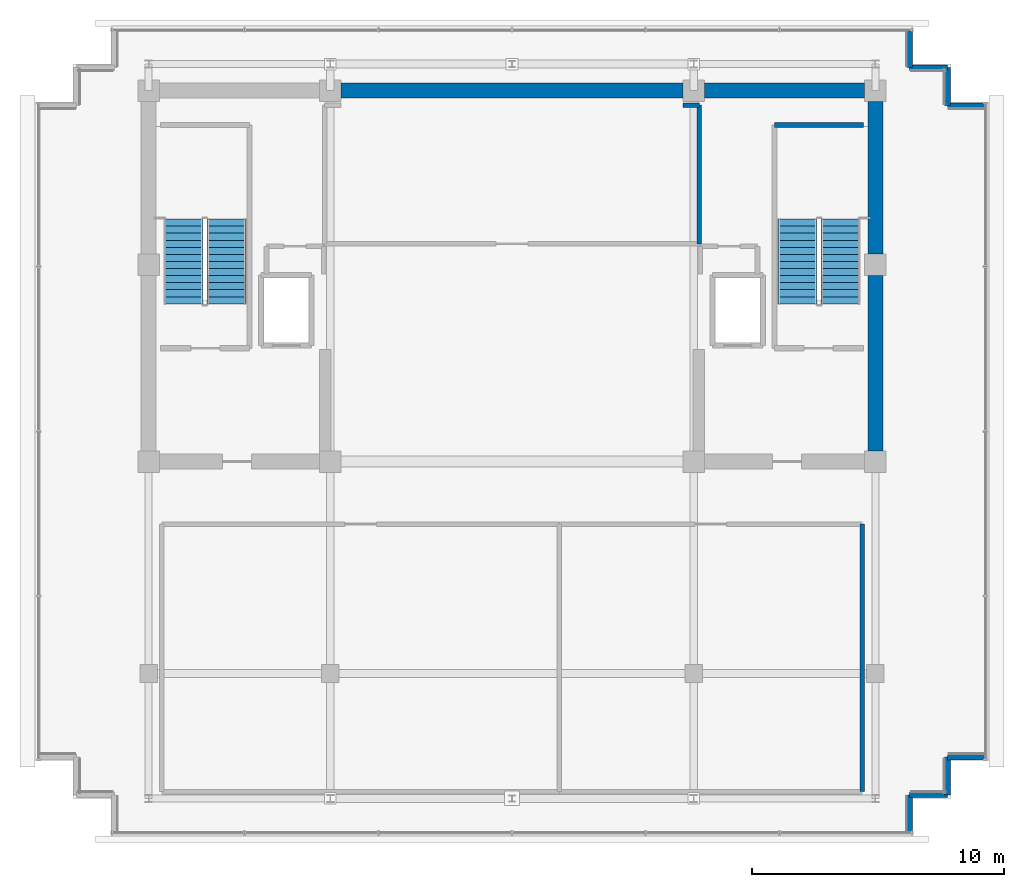
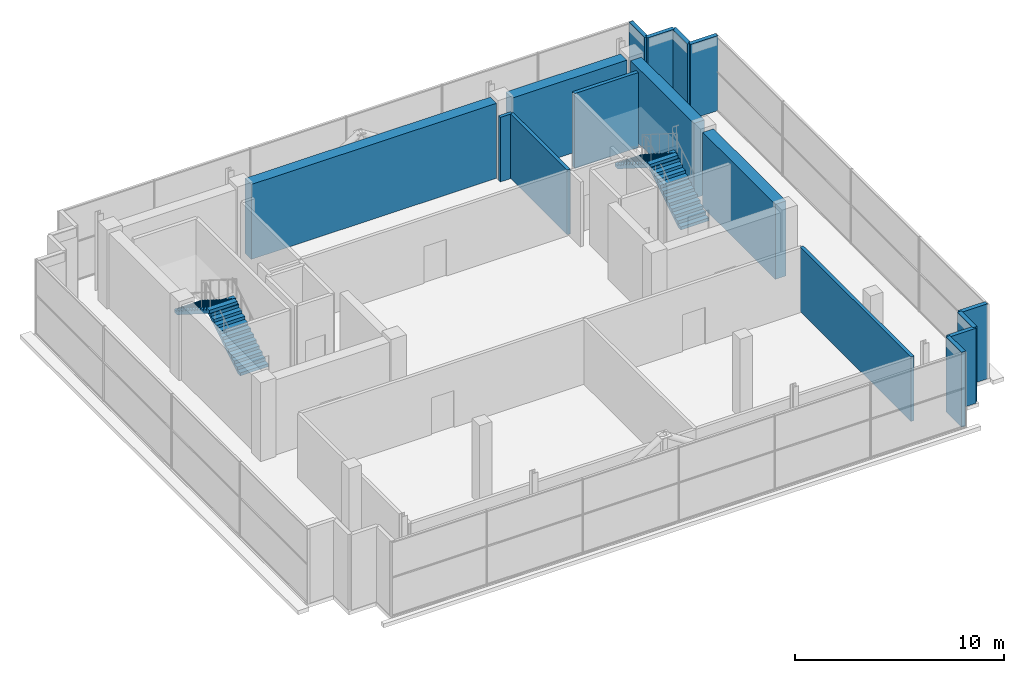
# One storey, part 24 of 26: 16 walls, 4 stair flights, 2 elements without a shape of their own.
"""IFC4 building model written with IfcOpenShell, lengths in metres."""

from ifc_helpers import new_model, si_unit, direction, frame, frame_2d, origin, place, context, subcontext, project, spatial, polyline, rectangle, outline, extrude, material, layer, layer_set, type_object, element, aggregate, save


model = new_model("IFC4")

# Units and contexts
model_context = context("Model", 3, precision=1e-05, world=origin(), true_north=direction((0.0, 1.0)))
body_context = subcontext(model_context, "Body", "Model", "MODEL_VIEW")
ifc_project = project(units=[si_unit("LENGTHUNIT", "METRE"), si_unit("AREAUNIT", "SQUARE_METRE"), si_unit("VOLUMEUNIT", "CUBIC_METRE"), si_unit("PLANEANGLEUNIT", "RADIAN"), si_unit("MASSUNIT", "GRAM", prefix="KILO")], contexts=[model_context])

# Site, building, storey
site_placement = place(None, origin())
site = spatial("IfcSite", under=ifc_project, at=site_placement, CompositionType="ELEMENT")
building_placement = place(site_placement, origin())
building = spatial("IfcBuilding", under=site, at=building_placement, Name="Zarnakvel Exchange Tower", CompositionType="ELEMENT")
storey_placement = place(building_placement, frame((0.0, 0.0, 285.39990234375)))
storey = spatial("IfcBuildingStorey", under=building, at=storey_placement, Name="Crown L80", CompositionType="ELEMENT", Elevation=285.39990234375)

# Walls
ifc_material_1 = material(Name="Concrete C50/60", Category="concrete")
ifc_layer_1 = layer(ifc_material_1, 0.60009765625)
ifc_layer_set_1 = layer_set([ifc_layer_1], Name="Concrete C50/60")
wall_type_1 = type_object("IfcWallType", Name="CW-C5", PredefinedType="SHEAR", material=ifc_layer_set_1)
wall_1_placement = place(storey_placement, frame((-6.77490234375, 13.5, 0.0), z_axis=(0.0, 0.0, 1.0), x_axis=(1.0, 0.0, 0.0)))
element("IfcWall", 1, at=wall_1_placement, inside=storey, type_object=wall_type_1, Name="Crown L80 Rear Core Shear Wall N2 (CW-C5)", PredefinedType="SHEAR", context=body_context, shape_type="SweptSolid", body=[
    extrude(rectangle(XDim=13.5498046875, YDim=0.60009765625, at=frame_2d((6.77490234375, 0.0))), origin(), (0.0, 0.0, 1.0), 4.380126953125),
])
wall_2_placement = place(storey_placement, frame((7.625, 13.5, 0.0), z_axis=(0.0, 0.0, 1.0), x_axis=(1.0, 0.0, 0.0)))
element("IfcWall", 2, at=wall_2_placement, inside=storey, type_object=wall_type_1, Name="Crown L80 Rear Core Shear Wall N3 (CW-C5)", PredefinedType="SHEAR", context=body_context, shape_type="SweptSolid", body=[
    extrude(rectangle(XDim=6.35009765625, YDim=0.60009765625, at=frame_2d((3.175048828125, 0.0))), origin(), (0.0, 0.0, 1.0), 4.380126953125),
])
wall_3_placement = place(storey_placement, frame((14.39990234375, -0.77490234375, 0.0), z_axis=(0.0, 0.0, 1.0), x_axis=(0.0, 1.0, 0.0)))
element("IfcWall", 3, at=wall_3_placement, inside=storey, type_object=wall_type_1, Name="Crown L80 Rear Core Shear Wall E1 (CW-C5)", PredefinedType="SHEAR", context=body_context, shape_type="SweptSolid", body=[
    extrude(rectangle(XDim=6.949951171875, YDim=0.60009765625, at=frame_2d((3.47509765625, 0.0))), origin(), (0.0, 0.0, 1.0), 4.380126953125),
])
wall_4_placement = place(storey_placement, frame((14.39990234375, 7.02490234375, 0.0), z_axis=(0.0, 0.0, 1.0), x_axis=(0.0, 1.0, 0.0)))
element("IfcWall", 4, at=wall_4_placement, inside=storey, type_object=wall_type_1, Name="Crown L80 Rear Core Shear Wall E2 (CW-C5)", PredefinedType="SHEAR", context=body_context, shape_type="SweptSolid", body=[
    extrude(rectangle(XDim=6.050048828125, YDim=0.60009765625, at=frame_2d((3.02490234375, 0.0))), origin(), (0.0, 0.0, 1.0), 4.380126953125),
])
ifc_material_2 = material(Name="Precast concrete C40/50", Category="concrete")
ifc_layer_2 = layer(ifc_material_2, 0.219970703125)
ifc_layer_set_2 = layer_set([ifc_layer_2], Name="Precast concrete C40/50")
wall_type_2 = type_object("IfcWallType", Name="EW-03", PredefinedType="SOLIDWALL", material=ifc_layer_set_2)
for number, where, z_axis, x_axis, name in (
    (5, (15.760009765625, 14.409912109375, 0.0), (0.0, 0.0, 1.0), (0.0, 1.0, 0.0), "Crown L80 Exterior Precast Spandrel Wall EW-Crown L80-C07 (EW-03)"),
    (6, (17.260009765625, 14.409912109375, 0.0), (0.0, 0.0, 1.0), (-1.0, 0.0, 0.0), "Crown L80 Exterior Precast Spandrel Wall EW-Crown L80-C08 (EW-03)"),
    (7, (17.260009765625, 12.909912109375, 0.0), (0.0, 0.0, 1.0), (0.0, 1.0, 0.0), "Crown L80 Exterior Precast Spandrel Wall EW-Crown L80-C09 (EW-03)"),
    (8, (18.760009765625, 12.909912109375, 0.0), (0.0, 0.0, 1.0), (-1.0, 0.0, 0.0), "Crown L80 Exterior Precast Spandrel Wall EW-Crown L80-C10 (EW-03)"),
    (9, (17.260009765625, -12.909912109375, 0.0), (0.0, 0.0, 1.0), (1.0, 0.0, 0.0), "Crown L80 Exterior Precast Spandrel Wall EW-Crown L80-C12 (EW-03)"),
    (10, (17.260009765625, -14.409912109375, 0.0), (0.0, 0.0, 1.0), (0.0, 1.0, 0.0), "Crown L80 Exterior Precast Spandrel Wall EW-Crown L80-C13 (EW-03)"),
    (11, (15.760009765625, -14.409912109375, 0.0), (0.0, 0.0, 1.0), (1.0, 0.0, 0.0), "Crown L80 Exterior Precast Spandrel Wall EW-Crown L80-C14 (EW-03)"),
    (12, (15.760009765625, -15.909912109375, 0.0), (0.0, 0.0, 1.0), (0.0, 1.0, 0.0), "Crown L80 Exterior Precast Spandrel Wall EW-Crown L80-C15 (EW-03)"),
):
    element("IfcWall", number, at=place(storey_placement, frame(where, z_axis=z_axis, x_axis=x_axis)), inside=storey, type_object=wall_type_2, Name=name, PredefinedType="SOLIDWALL", context=body_context, shape_type="SweptSolid", body=[
        extrude(rectangle(XDim=1.5, YDim=0.219970703125, at=frame_2d((0.75, 0.0))), origin(), (0.0, 0.0, 1.0), 4.380126953125),
    ])
ifc_material_3 = material(Name="Fire-Rated Gypsum Stud Partition", Category="gypsum")
ifc_layer_3 = layer(ifc_material_3, 0.179931640625)
ifc_layer_set_3 = layer_set([ifc_layer_3], Name="Fire-Rated Gypsum Stud Partition")
wall_type_3 = type_object("IfcWallType", Name="PT-02", PredefinedType="PARTITIONING", material=ifc_layer_set_3)
wall_5_placement = place(storey_placement, frame((6.77490234375, 12.929931640625, 0.0), z_axis=(0.0, 0.0, 1.0), x_axis=(1.0, 0.0, 0.0)))
element("IfcWall", 13, at=wall_5_placement, inside=storey, type_object=wall_type_3, Name="Crown L80 Partition Wall PWALL-Crown L80-009 (PT-02)", PredefinedType="PARTITIONING", context=body_context, shape_type="SweptSolid", body=[
    extrude(rectangle(XDim=0.655029296875, YDim=0.179931640625, at=frame_2d((0.32763671875, 0.0))), origin(), (0.0, 0.0, 1.0), 3.77001953125),
])
wall_6_placement = place(storey_placement, frame((7.429931640625, 12.929931640625, 0.0), z_axis=(0.0, 0.0, 1.0), x_axis=(0.0, -1.0, 0.0)))
element("IfcWall", 14, at=wall_6_placement, inside=storey, type_object=wall_type_3, Name="Crown L80 Partition Wall PWALL-Crown L80-011 (PT-02)", PredefinedType="PARTITIONING", context=body_context, shape_type="SweptSolid", body=[
    extrude(rectangle(XDim=5.5, YDim=0.179931640625, at=frame_2d((2.75, 0.0))), origin(), (0.0, 0.0, 1.0), 3.77001953125),
])
wall_7_placement = place(storey_placement, frame((13.8798828125, -3.679931640625, 0.0), z_axis=(0.0, 0.0, 1.0), x_axis=(0.0, -1.0, 0.0)))
element("IfcWall", 15, at=wall_7_placement, inside=storey, type_object=wall_type_3, Name="Crown L80 Partition Wall PWALL-Crown L80-024 (PT-02)", PredefinedType="PARTITIONING", context=body_context, shape_type="SweptSolid", body=[
    extrude(rectangle(XDim=10.60009765625, YDim=0.179931640625, at=frame_2d((5.300048828125, 0.0))), origin(), (0.0, 0.0, 1.0), 3.77001953125),
])
ifc_material_4 = material(Name="Concrete C40/50", Category="concrete")
ifc_layer_4 = layer(ifc_material_4, 0.199951171875)
ifc_layer_set_4 = layer_set([ifc_layer_4], Name="Concrete C40/50")
wall_type_4 = type_object("IfcWallType", Name="SW-02", PredefinedType="SOLIDWALL", material=ifc_layer_set_4)
wall_8_placement = place(storey_placement, frame((10.409912109375, 12.1298828125, 0.0), z_axis=(0.0, 0.0, 1.0), x_axis=(1.0, 0.0, 0.0)))
element("IfcWall", 16, at=wall_8_placement, inside=storey, type_object=wall_type_4, Name="Crown L80 Stairwell Core Wall PWALL-Crown L80-005 (SW-02)", PredefinedType="SOLIDWALL", context=body_context, shape_type="SweptSolid", body=[
    extrude(rectangle(XDim=3.52001953125, YDim=0.199951171875, at=frame_2d((1.760009765625, 0.0))), origin(), (0.0, 0.0, 1.0), 4.380126953125),
])

# Stair, stair flights
stair_type = type_object("IfcStairType", Name="STR-01", PredefinedType="HALF_TURN_STAIR", material=ifc_material_4)
stair_1_placement = place(storey_placement, origin())
stair_1 = element("IfcStair", 17, at=stair_1_placement, inside=storey, type_object=stair_type, Name="Crown L80 Protected Core Exit Stair ST-01", PredefinedType="HALF_TURN_STAIR")
stair_flight_type = type_object("IfcStairFlightType", Name="FLT-01", PredefinedType="STRAIGHT", material=ifc_material_4)
stair_flight_1_placement = place(storey_placement, frame((-11.31494140625, 5.050048828125, 0.0), z_axis=(0.0, 0.0, 1.0), x_axis=(0.0, 1.0, 0.0)))
stair_flight_1 = element("IfcStairFlight", 18, at=stair_flight_1_placement, type_object=stair_flight_type, Name="ST-01 flight 1", NumberOfRisers=13, NumberOfTreads=12, PredefinedType="STRAIGHT", RiserHeight=0.176923077, TreadLength=0.28, context=body_context, shape_type="SweptSolid", body=[
    extrude(outline(polyline([(0.0, 0.0), (0.0, 0.177001953125), (0.280029296875, 0.177001953125), (0.280029296875, 0.353759765625), (0.56005859375, 0.353759765625), (0.56005859375, 0.53076171875), (0.840087890625, 0.53076171875), (0.840087890625, 0.707763671875), (1.1201171875, 0.707763671875), (1.1201171875, 0.884521484375), (1.39990234375, 0.884521484375), (1.39990234375, 1.0615234375), (1.679931640625, 1.0615234375), (1.679931640625, 1.238525390625), (1.9599609375, 1.238525390625), (1.9599609375, 1.415283203125), (2.239990234375, 1.415283203125), (2.239990234375, 1.59228515625), (2.52001953125, 1.59228515625), (2.52001953125, 1.769287109375), (2.800048828125, 1.769287109375), (2.800048828125, 1.946044921875), (3.080078125, 1.946044921875), (3.080078125, 2.123046875), (3.360107421875, 2.123046875), (3.360107421875, 2.300048828125), (3.360107421875, 1.94580078125), (0.280517578125, 0.0), (0.0, 0.0)])), frame((0.0, 0.77490234375, 0.0), z_axis=(0.0, -1.0, 0.0), x_axis=(1.0, 0.0, 0.0)), (0.0, 0.0, 1.0), 1.550048828125),
])
stair_flight_2_placement = place(storey_placement, frame((-13.02490234375, 8.409912109375, 2.300048828125), z_axis=(0.0, 0.0, 1.0), x_axis=(0.0, -1.0, 0.0)))
stair_flight_2 = element("IfcStairFlight", 19, at=stair_flight_2_placement, type_object=stair_flight_type, Name="ST-01 flight 2", NumberOfRisers=13, NumberOfTreads=12, PredefinedType="STRAIGHT", RiserHeight=0.176923077, TreadLength=0.28, context=body_context, shape_type="SweptSolid", body=[
    extrude(outline(polyline([(0.0, 0.0), (0.0, 0.177001953125), (0.280029296875, 0.177001953125), (0.280029296875, 0.353759765625), (0.56005859375, 0.353759765625), (0.56005859375, 0.53076171875), (0.840087890625, 0.53076171875), (0.840087890625, 0.707763671875), (1.1201171875, 0.707763671875), (1.1201171875, 0.884521484375), (1.39990234375, 0.884521484375), (1.39990234375, 1.0615234375), (1.679931640625, 1.0615234375), (1.679931640625, 1.238525390625), (1.9599609375, 1.238525390625), (1.9599609375, 1.415283203125), (2.239990234375, 1.415283203125), (2.239990234375, 1.59228515625), (2.52001953125, 1.59228515625), (2.52001953125, 1.769287109375), (2.800048828125, 1.769287109375), (2.800048828125, 1.946044921875), (3.080078125, 1.946044921875), (3.080078125, 2.123046875), (3.360107421875, 2.123046875), (3.360107421875, 2.300048828125), (3.360107421875, 1.94580078125), (0.280517578125, 0.0), (0.0, 0.0)])), frame((0.0, 0.77490234375, 0.0), z_axis=(0.0, -1.0, 0.0), x_axis=(1.0, 0.0, 0.0)), (0.0, 0.0, 1.0), 1.550048828125),
])
aggregate(stair_1, [stair_flight_1, stair_flight_2])

stair_2_placement = place(storey_placement, origin())
stair_2 = element("IfcStair", 20, at=stair_2_placement, inside=storey, type_object=stair_type, Name="Crown L80 Protected Core Exit Stair ST-02", PredefinedType="HALF_TURN_STAIR")
stair_flight_3_placement = place(storey_placement, frame((13.02490234375, 5.050048828125, 0.0), z_axis=(0.0, 0.0, 1.0), x_axis=(0.0, 1.0, 0.0)))
stair_flight_3 = element("IfcStairFlight", 21, at=stair_flight_3_placement, type_object=stair_flight_type, Name="ST-02 flight 1", NumberOfRisers=13, NumberOfTreads=12, PredefinedType="STRAIGHT", RiserHeight=0.176923077, TreadLength=0.28, context=body_context, shape_type="SweptSolid", body=[
    extrude(outline(polyline([(0.0, 0.0), (0.0, 0.177001953125), (0.280029296875, 0.177001953125), (0.280029296875, 0.353759765625), (0.56005859375, 0.353759765625), (0.56005859375, 0.53076171875), (0.840087890625, 0.53076171875), (0.840087890625, 0.707763671875), (1.1201171875, 0.707763671875), (1.1201171875, 0.884521484375), (1.39990234375, 0.884521484375), (1.39990234375, 1.0615234375), (1.679931640625, 1.0615234375), (1.679931640625, 1.238525390625), (1.9599609375, 1.238525390625), (1.9599609375, 1.415283203125), (2.239990234375, 1.415283203125), (2.239990234375, 1.59228515625), (2.52001953125, 1.59228515625), (2.52001953125, 1.769287109375), (2.800048828125, 1.769287109375), (2.800048828125, 1.946044921875), (3.080078125, 1.946044921875), (3.080078125, 2.123046875), (3.360107421875, 2.123046875), (3.360107421875, 2.300048828125), (3.360107421875, 1.94580078125), (0.280517578125, 0.0), (0.0, 0.0)])), frame((0.0, 0.77490234375, 0.0), z_axis=(0.0, -1.0, 0.0), x_axis=(1.0, 0.0, 0.0)), (0.0, 0.0, 1.0), 1.550048828125),
])
stair_flight_4_placement = place(storey_placement, frame((11.31494140625, 8.409912109375, 2.300048828125), z_axis=(0.0, 0.0, 1.0), x_axis=(0.0, -1.0, 0.0)))
stair_flight_4 = element("IfcStairFlight", 22, at=stair_flight_4_placement, type_object=stair_flight_type, Name="ST-02 flight 2", NumberOfRisers=13, NumberOfTreads=12, PredefinedType="STRAIGHT", RiserHeight=0.176923077, TreadLength=0.28, context=body_context, shape_type="SweptSolid", body=[
    extrude(outline(polyline([(0.0, 0.0), (0.0, 0.177001953125), (0.280029296875, 0.177001953125), (0.280029296875, 0.353759765625), (0.56005859375, 0.353759765625), (0.56005859375, 0.53076171875), (0.840087890625, 0.53076171875), (0.840087890625, 0.707763671875), (1.1201171875, 0.707763671875), (1.1201171875, 0.884521484375), (1.39990234375, 0.884521484375), (1.39990234375, 1.0615234375), (1.679931640625, 1.0615234375), (1.679931640625, 1.238525390625), (1.9599609375, 1.238525390625), (1.9599609375, 1.415283203125), (2.239990234375, 1.415283203125), (2.239990234375, 1.59228515625), (2.52001953125, 1.59228515625), (2.52001953125, 1.769287109375), (2.800048828125, 1.769287109375), (2.800048828125, 1.946044921875), (3.080078125, 1.946044921875), (3.080078125, 2.123046875), (3.360107421875, 2.123046875), (3.360107421875, 2.300048828125), (3.360107421875, 1.94580078125), (0.280517578125, 0.0), (0.0, 0.0)])), frame((0.0, 0.77490234375, 0.0), z_axis=(0.0, -1.0, 0.0), x_axis=(1.0, 0.0, 0.0)), (0.0, 0.0, 1.0), 1.550048828125),
])
aggregate(stair_2, [stair_flight_3, stair_flight_4])

save(model, "model.ifc")
